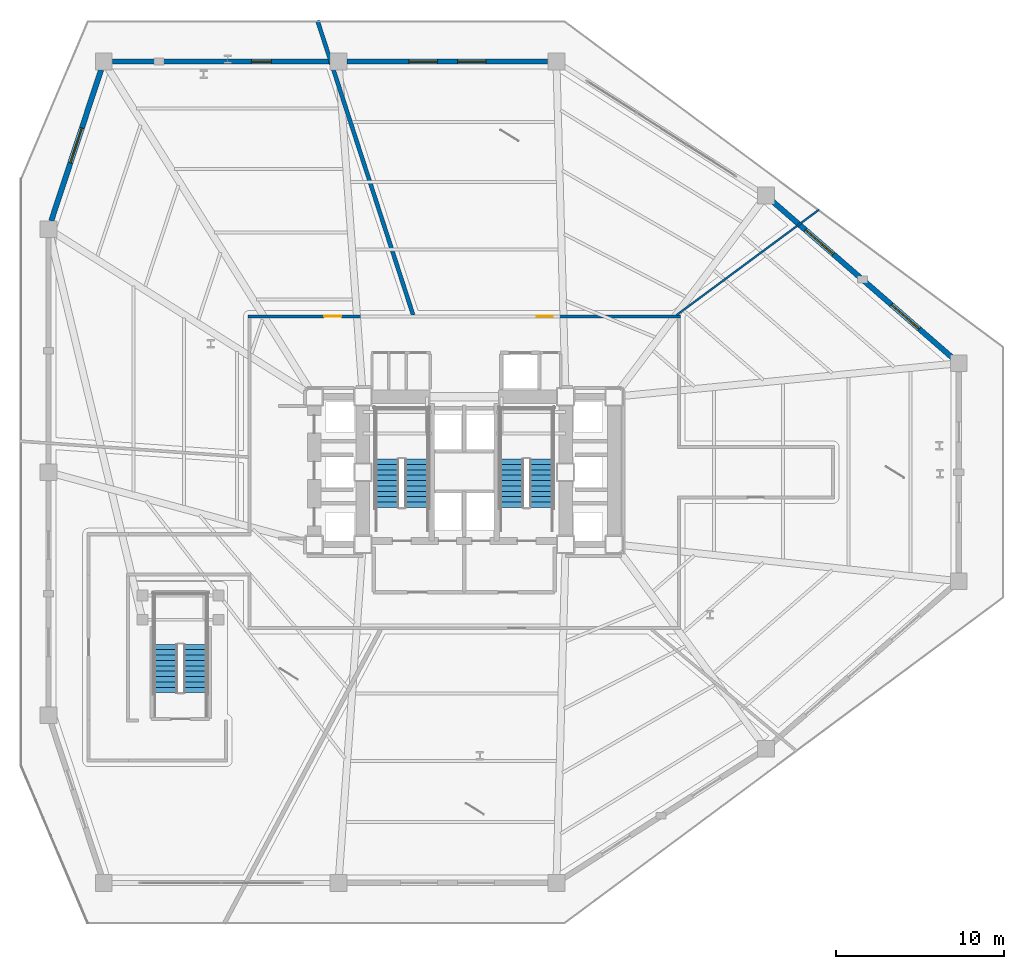
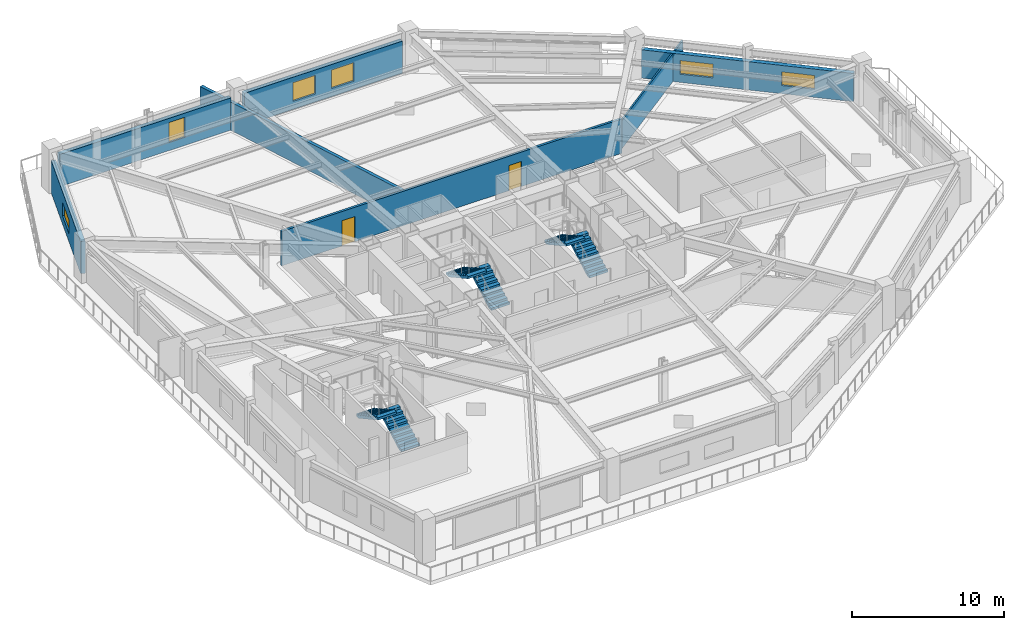
# One storey, part 8 of 12: 7 walls, 6 stair flights, 6 windows, 2 doors, 8 openings, 3 elements without a shape of their own.
"""IFC4 building model written with IfcOpenShell, lengths in metres."""

from ifc_helpers import new_model, si_unit, direction, frame, frame_2d, origin, place, context, subcontext, project, spatial, polyline, rectangle, outline, extrude, material, layer, layer_set, type_object, element, fill, aggregate, save


model = new_model("IFC4")

# Units and contexts
model_context = context("Model", 3, precision=1e-05, world=origin(), true_north=direction((0.0, 1.0)))
body_context = subcontext(model_context, "Body", "Model", "MODEL_VIEW")
ifc_project = project(units=[si_unit("LENGTHUNIT", "METRE"), si_unit("AREAUNIT", "SQUARE_METRE"), si_unit("VOLUMEUNIT", "CUBIC_METRE"), si_unit("PLANEANGLEUNIT", "RADIAN"), si_unit("MASSUNIT", "GRAM", prefix="KILO")], contexts=[model_context])

# Site, building, storey
site_placement = place(None, origin())
site = spatial("IfcSite", under=ifc_project, at=site_placement, CompositionType="ELEMENT")
building_placement = place(site_placement, origin())
building = spatial("IfcBuilding", under=site, at=building_placement, Name="Rocaltana Carrier Exchange", CompositionType="ELEMENT")
storey_placement = place(building_placement, frame((0.0, 0.0, 8.320068359375)))
storey = spatial("IfcBuildingStorey", under=building, at=storey_placement, Name="L03", CompositionType="ELEMENT", Elevation=8.320068359375)

# Wall, openings, doors
ifc_material_1 = material(Name="Gypsum & Steel Stud Partition", Category="steel")
ifc_layer_1 = layer(ifc_material_1, 0.179931640625)
ifc_layer_set_1 = layer_set([ifc_layer_1], Name="Gypsum & Steel Stud Partition")
wall_type_1 = type_object("IfcWallType", Name="Corridor Fire Partition 180 EI60", PredefinedType="PARTITIONING", material=ifc_layer_set_1)
wall_1_placement = place(storey_placement, frame((-12.889892578125, 9.300048828125, 0.0), z_axis=(0.0, 0.0, 1.0), x_axis=(1.0, 0.0, 0.0)))
wall_1 = element("IfcWall", 1, at=wall_1_placement, inside=storey, type_object=wall_type_1, Name="L03 Corridor Partition 8", PredefinedType="PARTITIONING", context=body_context, shape_type="SweptSolid", body=[
    extrude(rectangle(XDim=25.77978515625, YDim=0.179931640625, at=frame_2d((12.889892578125, 0.0))), origin(), (0.0, 0.0, 1.0), 2.760009765625),
])
opening_1_placement = place(wall_1_placement, frame((17.2021484375, 0.0, 0.0)))
opening_1 = element("IfcOpeningElement", 2, at=opening_1_placement, cuts=wall_1, Name="Opening D-RM098", PredefinedType="OPENING", context=body_context, shape_type="SweptSolid", body=[
    extrude(rectangle(XDim=0.9599609375, YDim=2.02001953125, at=frame_2d((0.47998046875, 1.010009765625))), frame((0.0, 0.099853515625, 0.0), z_axis=(0.0, -1.0, 0.0), x_axis=(1.0, 0.0, 0.0)), (0.0, 0.0, 1.0), 0.199951171875),
])
opening_2_placement = place(wall_1_placement, frame((4.539306640625, 0.0, 0.0)))
opening_2 = element("IfcOpeningElement", 3, at=opening_2_placement, cuts=wall_1, Name="Opening D-LB104", PredefinedType="OPENING", context=body_context, shape_type="SweptSolid", body=[
    extrude(rectangle(XDim=1.02001953125, YDim=2.02001953125, at=frame_2d((0.510009765625, 1.010009765625))), frame((0.0, 0.099853515625, 0.0), z_axis=(0.0, -1.0, 0.0), x_axis=(1.0, 0.0, 0.0)), (0.0, 0.0, 1.0), 0.199951171875),
])
ifc_material_2 = material(Name="Powder-Coated Aluminium 6063-T6", Category="aluminium")
door_type_1 = type_object("IfcDoorType", Name="Laboratory Acoustic Door 1020x2020", OperationType="NOTDEFINED", PredefinedType="DOOR", material=ifc_material_2)
door_1_placement = place(opening_2_placement, origin())
door_1 = element("IfcDoor", 4, at=door_1_placement, inside=storey, type_object=door_type_1, Name="L03 Protocol Calibration Laboratory Entrance Door", OperationType="SINGLE_SWING_LEFT", OverallHeight=2.02001953125, OverallWidth=1.02001953125, PredefinedType="DOOR", context=body_context, shape_type="SweptSolid", body=[
    extrude(rectangle(XDim=1.02001953125, YDim=2.02001953125, at=frame_2d((0.510009765625, 1.010009765625))), frame((0.0, 0.02490234375, 0.0), z_axis=(0.0, -1.0, 0.0), x_axis=(1.0, 0.0, 0.0)), (0.0, 0.0, 1.0), 0.050048828125),
])
fill(opening_2, door_1)
ifc_material_3 = material(Name="Engineered Hardwood Timber", Category="wood")
door_type_2 = type_object("IfcDoorType", Name="Workspace Single Door 960x2020", OperationType="NOTDEFINED", PredefinedType="DOOR", material=ifc_material_3)
door_2_placement = place(opening_1_placement, origin())
door_2 = element("IfcDoor", 5, at=door_2_placement, inside=storey, type_object=door_type_2, Name="L03 Peering Conference Room Entrance Door", OperationType="SINGLE_SWING_RIGHT", OverallHeight=2.02001953125, OverallWidth=0.9599609375, PredefinedType="DOOR", context=body_context, shape_type="SweptSolid", body=[
    extrude(rectangle(XDim=0.9599609375, YDim=2.02001953125, at=frame_2d((0.47998046875, 1.010009765625))), frame((0.0, 0.02490234375, 0.0), z_axis=(0.0, -1.0, 0.0), x_axis=(1.0, 0.0, 0.0)), (0.0, 0.0, 1.0), 0.050048828125),
])
fill(opening_1, door_2)

# Walls
ifc_material_4 = material(Name="Aluminium 6063-T6 & Acoustic Glass", Category="aluminium")
ifc_layer_2 = layer(ifc_material_4, 0.114990234375)
ifc_layer_set_2 = layer_set([ifc_layer_2], Name="Aluminium 6063-T6 & Acoustic Glass")
wall_type_2 = type_object("IfcWallType", Name="Demountable Glazed Lab Partition 115", PredefinedType="MOVABLE", material=ifc_layer_set_2)
wall_2_placement = place(storey_placement, frame((12.67626953125, 9.3798828125, 0.0), z_axis=(0.0, 0.0, 1.0), x_axis=(0.803850730109, 0.594831071568, 0.0)))
element("IfcWall", 6, at=wall_2_placement, inside=storey, type_object=wall_type_2, Name="L03 Suite Divider Wall D3", PredefinedType="MOVABLE", context=body_context, shape_type="SweptSolid", body=[
    extrude(rectangle(XDim=10.5751953125, YDim=0.114990234375, at=frame_2d((5.28759765625, 0.0))), origin(), (0.0, 0.0, 1.0), 2.245849609375),
])
ifc_material_5 = material(Name="Acoustic Calcium Silicate Partition", Category="gypsum")
ifc_layer_3 = layer(ifc_material_5, 0.239990234375)
ifc_layer_set_3 = layer_set([ifc_layer_3], Name="Acoustic Calcium Silicate Partition")
wall_type_3 = type_object("IfcWallType", Name="Heavy Lab Partition 240 EI90", PredefinedType="PARTITIONING", material=ifc_layer_set_3)
wall_3_placement = place(storey_placement, frame((-3.047607421875, 9.3798828125, 0.0), z_axis=(0.0, 0.0, 1.0), x_axis=(-0.309026872476, 0.951053306649, 0.0)))
element("IfcWall", 7, at=wall_3_placement, inside=storey, type_object=wall_type_3, Name="L03 Suite Divider Wall D4", PredefinedType="PARTITIONING", context=body_context, shape_type="SweptSolid", body=[
    extrude(rectangle(XDim=18.4638671875, YDim=0.239990234375, at=frame_2d((9.23193359375, 0.0))), origin(), (0.0, 0.0, 1.0), 2.245849609375),
])

# Wall, openings, windows
ifc_material_6 = material(Name="Precast sandstone concrete C45/55", Category="masonry")
ifc_layer_4 = layer(ifc_material_6, 0.320068359375)
ifc_layer_set_4 = layer_set([ifc_layer_4], Name="Precast sandstone concrete C45/55")
wall_type_4 = type_object("IfcWallType", Name="Precast Sandstone Facade Wall 320", PredefinedType="SOLIDWALL", material=ifc_layer_set_4)
wall_4_placement = place(storey_placement, frame((18.392333984375, 16.15869140625, 0.0), z_axis=(0.0, 0.0, 1.0), x_axis=(0.754615886195, -0.656166796098, 0.0)))
wall_4 = element("IfcWall", 8, at=wall_4_placement, inside=storey, type_object=wall_type_4, Name="L03 Sandstone Facade Wall B06", PredefinedType="SOLIDWALL", context=body_context, shape_type="SweptSolid", body=[
    extrude(rectangle(XDim=14.19970703125, YDim=0.320068359375, at=frame_2d((7.099853515625, 0.0))), origin(), (0.0, 0.0, 1.0), 2.260986328125),
])
opening_3_placement = place(wall_4_placement, frame((2.599853515625, 0.0, 0.64990234375)))
opening_3 = element("IfcOpeningElement", 9, at=opening_3_placement, cuts=wall_4, Name="Opening W-04", PredefinedType="OPENING", context=body_context, shape_type="SweptSolid", body=[
    extrude(rectangle(XDim=2.199951171875, YDim=1.10009765625, at=frame_2d((1.10009765625, 0.550048828125))), frame((0.0, 0.169921875, 0.0), z_axis=(0.0, -1.0, 0.0), x_axis=(1.0, 0.0, 0.0)), (0.0, 0.0, 1.0), 0.340087890625),
])
opening_4_placement = place(wall_4_placement, frame((9.39990234375, 0.0, 0.64990234375)))
opening_4 = element("IfcOpeningElement", 10, at=opening_4_placement, cuts=wall_4, Name="Opening W-04", PredefinedType="OPENING", context=body_context, shape_type="SweptSolid", body=[
    extrude(rectangle(XDim=2.199951171875, YDim=1.10009765625, at=frame_2d((1.10009765625, 0.550048828125))), frame((0.0, 0.169921875, 0.0), z_axis=(0.0, -1.0, 0.0), x_axis=(1.0, 0.0, 0.0)), (0.0, 0.0, 1.0), 0.340087890625),
])
ifc_material_7 = material(Name="Aluminium 6063-T6 & Double Glazing", Category="aluminium")
window_type_1 = type_object("IfcWindowType", Name="Podium Clerestory Window 2200x1100", PartitioningType="SINGLE_PANEL", PredefinedType="WINDOW", material=ifc_material_7)
window_1_placement = place(opening_3_placement, origin())
window_1 = element("IfcWindow", 11, at=window_1_placement, inside=storey, type_object=window_type_1, Name="L03 Punched Window B06-1", OverallHeight=1.10009765625, OverallWidth=2.199951171875, PartitioningType="SINGLE_PANEL", PredefinedType="WINDOW", context=body_context, shape_type="SweptSolid", body=[
    extrude(rectangle(XDim=2.199951171875, YDim=1.10009765625, at=frame_2d((1.10009765625, 0.550048828125))), frame((0.0, 0.030029296875, 0.0), z_axis=(0.0, -1.0, 0.0), x_axis=(1.0, 0.0, 0.0)), (0.0, 0.0, 1.0), 0.06005859375),
])
fill(opening_3, window_1)
window_2_placement = place(opening_4_placement, origin())
window_2 = element("IfcWindow", 12, at=window_2_placement, inside=storey, type_object=window_type_1, Name="L03 Punched Window B06-3", OverallHeight=1.10009765625, OverallWidth=2.199951171875, PartitioningType="SINGLE_PANEL", PredefinedType="WINDOW", context=body_context, shape_type="SweptSolid", body=[
    extrude(rectangle(XDim=2.199951171875, YDim=1.10009765625, at=frame_2d((1.10009765625, 0.550048828125))), frame((0.0, 0.030029296875, 0.0), z_axis=(0.0, -1.0, 0.0), x_axis=(1.0, 0.0, 0.0)), (0.0, 0.0, 1.0), 0.06005859375),
])
fill(opening_4, window_2)

wall_5_placement = place(storey_placement, frame((-6.97998046875, 24.5, 0.0), z_axis=(0.0, 0.0, 1.0), x_axis=(1.0, 0.0, 0.0)))
wall_5 = element("IfcWall", 13, at=wall_5_placement, inside=storey, type_object=wall_type_4, Name="L03 Sandstone Facade Wall B08", PredefinedType="SOLIDWALL", context=body_context, shape_type="SweptSolid", body=[
    extrude(rectangle(XDim=11.9599609375, YDim=0.320068359375, at=frame_2d((5.97998046875, 0.0))), origin(), (0.0, 0.0, 1.0), 2.587890625),
])
opening_5_placement = place(wall_5_placement, frame((3.679931640625, 0.0, 0.64990234375)))
opening_5 = element("IfcOpeningElement", 14, at=opening_5_placement, cuts=wall_5, Name="Opening W-02", PredefinedType="OPENING", context=body_context, shape_type="SweptSolid", body=[
    extrude(rectangle(XDim=1.699951171875, YDim=1.5, at=frame_2d((0.85009765625, 0.75))), frame((0.0, 0.169921875, 0.0), z_axis=(0.0, -1.0, 0.0), x_axis=(1.0, 0.0, 0.0)), (0.0, 0.0, 1.0), 0.340087890625),
])
opening_6_placement = place(wall_5_placement, frame((6.580078125, 0.0, 0.64990234375)))
opening_6 = element("IfcOpeningElement", 15, at=opening_6_placement, cuts=wall_5, Name="Opening W-02", PredefinedType="OPENING", context=body_context, shape_type="SweptSolid", body=[
    extrude(rectangle(XDim=1.699951171875, YDim=1.5, at=frame_2d((0.85009765625, 0.75))), frame((0.0, 0.169921875, 0.0), z_axis=(0.0, -1.0, 0.0), x_axis=(1.0, 0.0, 0.0)), (0.0, 0.0, 1.0), 0.340087890625),
])
ifc_material_8 = material(Name="Aluminium 6063-T6 & Double Glazing", Category="aluminium")
window_type_2 = type_object("IfcWindowType", Name="Podium Technical Window 1700x1500", PartitioningType="SINGLE_PANEL", PredefinedType="WINDOW", material=ifc_material_8)
window_3_placement = place(opening_5_placement, origin())
window_3 = element("IfcWindow", 16, at=window_3_placement, inside=storey, type_object=window_type_2, Name="L03 Punched Window B08-1", OverallHeight=1.5, OverallWidth=1.699951171875, PartitioningType="SINGLE_PANEL", PredefinedType="WINDOW", context=body_context, shape_type="SweptSolid", body=[
    extrude(rectangle(XDim=1.699951171875, YDim=1.5, at=frame_2d((0.85009765625, 0.75))), frame((0.0, 0.030029296875, 0.0), z_axis=(0.0, -1.0, 0.0), x_axis=(1.0, 0.0, 0.0)), (0.0, 0.0, 1.0), 0.06005859375),
])
fill(opening_5, window_3)
window_4_placement = place(opening_6_placement, origin())
window_4 = element("IfcWindow", 17, at=window_4_placement, inside=storey, type_object=window_type_2, Name="L03 Punched Window B08-2", OverallHeight=1.5, OverallWidth=1.699951171875, PartitioningType="SINGLE_PANEL", PredefinedType="WINDOW", context=body_context, shape_type="SweptSolid", body=[
    extrude(rectangle(XDim=1.699951171875, YDim=1.5, at=frame_2d((0.85009765625, 0.75))), frame((0.0, 0.030029296875, 0.0), z_axis=(0.0, -1.0, 0.0), x_axis=(1.0, 0.0, 0.0)), (0.0, 0.0, 1.0), 0.06005859375),
])
fill(opening_6, window_4)

# Wall, opening, window
wall_6_placement = place(storey_placement, frame((-20.97998046875, 24.5, 0.0), z_axis=(0.0, 0.0, 1.0), x_axis=(1.0, 0.0, 0.0)))
wall_6 = element("IfcWall", 18, at=wall_6_placement, inside=storey, type_object=wall_type_4, Name="L03 Sandstone Facade Wall B09", PredefinedType="SOLIDWALL", context=body_context, shape_type="SweptSolid", body=[
    extrude(rectangle(XDim=12.9599609375, YDim=0.320068359375, at=frame_2d((6.47998046875, 0.0))), origin(), (0.0, 0.0, 1.0), 2.587890625),
])
opening_7_placement = place(wall_6_placement, frame((8.280029296875, 0.0, 0.64990234375)))
opening_7 = element("IfcOpeningElement", 19, at=opening_7_placement, cuts=wall_6, Name="Opening W-03", PredefinedType="OPENING", context=body_context, shape_type="SweptSolid", body=[
    extrude(rectangle(XDim=1.199951171875, YDim=1.60009765625, at=frame_2d((0.60009765625, 0.800048828125))), frame((0.0, 0.169921875, 0.0), z_axis=(0.0, -1.0, 0.0), x_axis=(1.0, 0.0, 0.0)), (0.0, 0.0, 1.0), 0.340087890625),
])
ifc_material_9 = material(Name="Aluminium 6063-T6 & Double Glazing", Category="aluminium")
window_type_3 = type_object("IfcWindowType", Name="Podium Narrow Slot Window 1200x1600", PartitioningType="SINGLE_PANEL", PredefinedType="WINDOW", material=ifc_material_9)
window_5_placement = place(opening_7_placement, origin())
window_5 = element("IfcWindow", 20, at=window_5_placement, inside=storey, type_object=window_type_3, Name="L03 Punched Window B09-3", OverallHeight=1.60009765625, OverallWidth=1.199951171875, PartitioningType="SINGLE_PANEL", PredefinedType="WINDOW", context=body_context, shape_type="SweptSolid", body=[
    extrude(rectangle(XDim=1.199951171875, YDim=1.60009765625, at=frame_2d((0.60009765625, 0.800048828125))), frame((0.0, 0.030029296875, 0.0), z_axis=(0.0, -1.0, 0.0), x_axis=(1.0, 0.0, 0.0)), (0.0, 0.0, 1.0), 0.06005859375),
])
fill(opening_7, window_5)

wall_7_placement = place(storey_placement, frame((-24.636962890625, 14.993896484375, 0.0), z_axis=(0.0, 0.0, 1.0), x_axis=(0.313363070681, 0.949633395544, 0.0)))
wall_7 = element("IfcWall", 21, at=wall_7_placement, inside=storey, type_object=wall_type_4, Name="L03 Sandstone Facade Wall B10", PredefinedType="SOLIDWALL", context=body_context, shape_type="SweptSolid", body=[
    extrude(rectangle(XDim=9.490234375, YDim=0.320068359375, at=frame_2d((4.7451171875, 0.0))), origin(), (0.0, 0.0, 1.0), 2.587890625),
])
opening_8_placement = place(wall_7_placement, frame((3.645263671875, 0.0, 0.64990234375)))
opening_8 = element("IfcOpeningElement", 22, at=opening_8_placement, cuts=wall_7, Name="Opening W-04", PredefinedType="OPENING", context=body_context, shape_type="SweptSolid", body=[
    extrude(rectangle(XDim=2.199951171875, YDim=1.10009765625, at=frame_2d((1.10009765625, 0.550048828125))), frame((0.0, 0.169921875, 0.0), z_axis=(0.0, -1.0, 0.0), x_axis=(1.0, 0.0, 0.0)), (0.0, 0.0, 1.0), 0.340087890625),
])
window_6_placement = place(opening_8_placement, origin())
window_6 = element("IfcWindow", 23, at=window_6_placement, inside=storey, type_object=window_type_1, Name="L03 Punched Window B10-1", OverallHeight=1.10009765625, OverallWidth=2.199951171875, PartitioningType="SINGLE_PANEL", PredefinedType="WINDOW", context=body_context, shape_type="SweptSolid", body=[
    extrude(rectangle(XDim=2.199951171875, YDim=1.10009765625, at=frame_2d((1.10009765625, 0.550048828125))), frame((0.0, 0.030029296875, 0.0), z_axis=(0.0, -1.0, 0.0), x_axis=(1.0, 0.0, 0.0)), (0.0, 0.0, 1.0), 0.06005859375),
])
fill(opening_8, window_6)

# Stair, stair flights
ifc_material_10 = material(Name="Precast concrete C45/55", Category="concrete")
stair_type = type_object("IfcStairType", Name="Standard Dog-Leg Stair 160", PredefinedType="HALF_TURN_STAIR", material=ifc_material_10)
stair_1_placement = place(storey_placement, origin())
stair_1 = element("IfcStair", 24, at=stair_1_placement, inside=storey, type_object=stair_type, Name="L03 Core West Exit Stair ST-1", PredefinedType="HALF_TURN_STAIR")
ifc_material_11 = material(Name="Precast concrete C45/55", Category="concrete")
stair_flight_type = type_object("IfcStairFlightType", Name="Precast Stair Flight 160", PredefinedType="STRAIGHT", material=ifc_material_11)
stair_flight_1_placement = place(storey_placement, frame((-2.840087890625, -2.10009765625, 0.0), z_axis=(0.0, 0.0, 1.0), x_axis=(0.0, 1.0, 0.0)))
stair_flight_1 = element("IfcStairFlight", 25, at=stair_flight_1_placement, type_object=stair_flight_type, Name="ST-1 flight 1", NumberOfRisers=10, NumberOfTreads=9, PredefinedType="STRAIGHT", RiserHeight=0.176, TreadLength=0.32, context=body_context, shape_type="SweptSolid", body=[
    extrude(outline(polyline([(0.0, 0.0), (0.0, 0.176025390625), (0.320068359375, 0.176025390625), (0.320068359375, 0.35205078125), (0.639892578125, 0.35205078125), (0.639892578125, 0.528076171875), (0.9599609375, 0.528076171875), (0.9599609375, 0.7041015625), (1.280029296875, 0.7041015625), (1.280029296875, 0.8798828125), (1.60009765625, 0.8798828125), (1.60009765625, 1.055908203125), (1.919921875, 1.055908203125), (1.919921875, 1.23193359375), (2.239990234375, 1.23193359375), (2.239990234375, 1.407958984375), (2.56005859375, 1.407958984375), (2.56005859375, 1.583984375), (2.8798828125, 1.583984375), (2.8798828125, 1.760009765625), (2.8798828125, 1.401611328125), (0.331787109375, 0.0), (0.0, 0.0)])), frame((0.0, 0.699951171875, 0.0), z_axis=(0.0, -1.0, 0.0), x_axis=(1.0, 0.0, 0.0)), (0.0, 0.0, 1.0), 1.39990234375),
])
stair_flight_2_placement = place(storey_placement, frame((-4.60009765625, 0.780029296875, 1.760009765625), z_axis=(0.0, 0.0, 1.0), x_axis=(0.0, -1.0, 0.0)))
stair_flight_2 = element("IfcStairFlight", 26, at=stair_flight_2_placement, type_object=stair_flight_type, Name="ST-1 flight 2", NumberOfRisers=10, NumberOfTreads=9, PredefinedType="STRAIGHT", RiserHeight=0.176, TreadLength=0.32, context=body_context, shape_type="SweptSolid", body=[
    extrude(outline(polyline([(0.0, 0.0), (0.0, 0.176025390625), (0.320068359375, 0.176025390625), (0.320068359375, 0.35205078125), (0.639892578125, 0.35205078125), (0.639892578125, 0.528076171875), (0.9599609375, 0.528076171875), (0.9599609375, 0.7041015625), (1.280029296875, 0.7041015625), (1.280029296875, 0.8798828125), (1.60009765625, 0.8798828125), (1.60009765625, 1.055908203125), (1.919921875, 1.055908203125), (1.919921875, 1.23193359375), (2.239990234375, 1.23193359375), (2.239990234375, 1.407958984375), (2.56005859375, 1.407958984375), (2.56005859375, 1.583984375), (2.8798828125, 1.583984375), (2.8798828125, 1.760009765625), (2.8798828125, 1.401611328125), (0.331787109375, 0.0), (0.0, 0.0)])), frame((0.0, 0.699951171875, 0.0), z_axis=(0.0, -1.0, 0.0), x_axis=(1.0, 0.0, 0.0)), (0.0, 0.0, 1.0), 1.39990234375),
])
aggregate(stair_1, [stair_flight_1, stair_flight_2])

stair_2_placement = place(storey_placement, origin())
stair_2 = element("IfcStair", 27, at=stair_2_placement, inside=storey, type_object=stair_type, Name="L03 Core East Exit Stair ST-2", PredefinedType="HALF_TURN_STAIR")
stair_flight_3_placement = place(storey_placement, frame((4.60009765625, -2.10009765625, 0.0), z_axis=(0.0, 0.0, 1.0), x_axis=(0.0, 1.0, 0.0)))
stair_flight_3 = element("IfcStairFlight", 28, at=stair_flight_3_placement, type_object=stair_flight_type, Name="ST-2 flight 1", NumberOfRisers=10, NumberOfTreads=9, PredefinedType="STRAIGHT", RiserHeight=0.176, TreadLength=0.32, context=body_context, shape_type="SweptSolid", body=[
    extrude(outline(polyline([(0.0, 0.0), (0.0, 0.176025390625), (0.320068359375, 0.176025390625), (0.320068359375, 0.35205078125), (0.639892578125, 0.35205078125), (0.639892578125, 0.528076171875), (0.9599609375, 0.528076171875), (0.9599609375, 0.7041015625), (1.280029296875, 0.7041015625), (1.280029296875, 0.8798828125), (1.60009765625, 0.8798828125), (1.60009765625, 1.055908203125), (1.919921875, 1.055908203125), (1.919921875, 1.23193359375), (2.239990234375, 1.23193359375), (2.239990234375, 1.407958984375), (2.56005859375, 1.407958984375), (2.56005859375, 1.583984375), (2.8798828125, 1.583984375), (2.8798828125, 1.760009765625), (2.8798828125, 1.401611328125), (0.331787109375, 0.0), (0.0, 0.0)])), frame((0.0, 0.699951171875, 0.0), z_axis=(0.0, -1.0, 0.0), x_axis=(1.0, 0.0, 0.0)), (0.0, 0.0, 1.0), 1.39990234375),
])
stair_flight_4_placement = place(storey_placement, frame((2.840087890625, 0.780029296875, 1.760009765625), z_axis=(0.0, 0.0, 1.0), x_axis=(0.0, -1.0, 0.0)))
stair_flight_4 = element("IfcStairFlight", 29, at=stair_flight_4_placement, type_object=stair_flight_type, Name="ST-2 flight 2", NumberOfRisers=10, NumberOfTreads=9, PredefinedType="STRAIGHT", RiserHeight=0.176, TreadLength=0.32, context=body_context, shape_type="SweptSolid", body=[
    extrude(outline(polyline([(0.0, 0.0), (0.0, 0.176025390625), (0.320068359375, 0.176025390625), (0.320068359375, 0.35205078125), (0.639892578125, 0.35205078125), (0.639892578125, 0.528076171875), (0.9599609375, 0.528076171875), (0.9599609375, 0.7041015625), (1.280029296875, 0.7041015625), (1.280029296875, 0.8798828125), (1.60009765625, 0.8798828125), (1.60009765625, 1.055908203125), (1.919921875, 1.055908203125), (1.919921875, 1.23193359375), (2.239990234375, 1.23193359375), (2.239990234375, 1.407958984375), (2.56005859375, 1.407958984375), (2.56005859375, 1.583984375), (2.8798828125, 1.583984375), (2.8798828125, 1.760009765625), (2.8798828125, 1.401611328125), (0.331787109375, 0.0), (0.0, 0.0)])), frame((0.0, 0.699951171875, 0.0), z_axis=(0.0, -1.0, 0.0), x_axis=(1.0, 0.0, 0.0)), (0.0, 0.0, 1.0), 1.39990234375),
])
aggregate(stair_2, [stair_flight_3, stair_flight_4])

stair_3_placement = place(storey_placement, origin())
stair_3 = element("IfcStair", 30, at=stair_3_placement, inside=storey, type_object=stair_type, Name="L03 Podium Concourse Exit Stair ST-3", PredefinedType="HALF_TURN_STAIR")
stair_flight_5_placement = place(storey_placement, frame((-16.0400390625, -13.14990234375, 0.0), z_axis=(0.0, 0.0, 1.0), x_axis=(0.0, 1.0, 0.0)))
stair_flight_5 = element("IfcStairFlight", 31, at=stair_flight_5_placement, type_object=stair_flight_type, Name="ST-3 flight 1", NumberOfRisers=10, NumberOfTreads=9, PredefinedType="STRAIGHT", RiserHeight=0.176, TreadLength=0.32, context=body_context, shape_type="SweptSolid", body=[
    extrude(outline(polyline([(0.0, 0.0), (0.0, 0.176025390625), (0.320068359375, 0.176025390625), (0.320068359375, 0.35205078125), (0.639892578125, 0.35205078125), (0.639892578125, 0.528076171875), (0.9599609375, 0.528076171875), (0.9599609375, 0.7041015625), (1.280029296875, 0.7041015625), (1.280029296875, 0.8798828125), (1.60009765625, 0.8798828125), (1.60009765625, 1.055908203125), (1.919921875, 1.055908203125), (1.919921875, 1.23193359375), (2.239990234375, 1.23193359375), (2.239990234375, 1.407958984375), (2.56005859375, 1.407958984375), (2.56005859375, 1.583984375), (2.8798828125, 1.583984375), (2.8798828125, 1.760009765625), (2.8798828125, 1.401611328125), (0.331787109375, 0.0), (0.0, 0.0)])), frame((0.0, 0.699951171875, 0.0), z_axis=(0.0, -1.0, 0.0), x_axis=(1.0, 0.0, 0.0)), (0.0, 0.0, 1.0), 1.39990234375),
])
stair_flight_6_placement = place(storey_placement, frame((-17.800048828125, -10.27001953125, 1.760009765625), z_axis=(0.0, 0.0, 1.0), x_axis=(0.0, -1.0, 0.0)))
stair_flight_6 = element("IfcStairFlight", 32, at=stair_flight_6_placement, type_object=stair_flight_type, Name="ST-3 flight 2", NumberOfRisers=10, NumberOfTreads=9, PredefinedType="STRAIGHT", RiserHeight=0.176, TreadLength=0.32, context=body_context, shape_type="SweptSolid", body=[
    extrude(outline(polyline([(0.0, 0.0), (0.0, 0.176025390625), (0.320068359375, 0.176025390625), (0.320068359375, 0.35205078125), (0.639892578125, 0.35205078125), (0.639892578125, 0.528076171875), (0.9599609375, 0.528076171875), (0.9599609375, 0.7041015625), (1.280029296875, 0.7041015625), (1.280029296875, 0.8798828125), (1.60009765625, 0.8798828125), (1.60009765625, 1.055908203125), (1.919921875, 1.055908203125), (1.919921875, 1.23193359375), (2.239990234375, 1.23193359375), (2.239990234375, 1.407958984375), (2.56005859375, 1.407958984375), (2.56005859375, 1.583984375), (2.8798828125, 1.583984375), (2.8798828125, 1.760009765625), (2.8798828125, 1.401611328125), (0.331787109375, 0.0), (0.0, 0.0)])), frame((0.0, 0.699951171875, 0.0), z_axis=(0.0, -1.0, 0.0), x_axis=(1.0, 0.0, 0.0)), (0.0, 0.0, 1.0), 1.39990234375),
])
aggregate(stair_3, [stair_flight_5, stair_flight_6])

save(model, "model.ifc")
